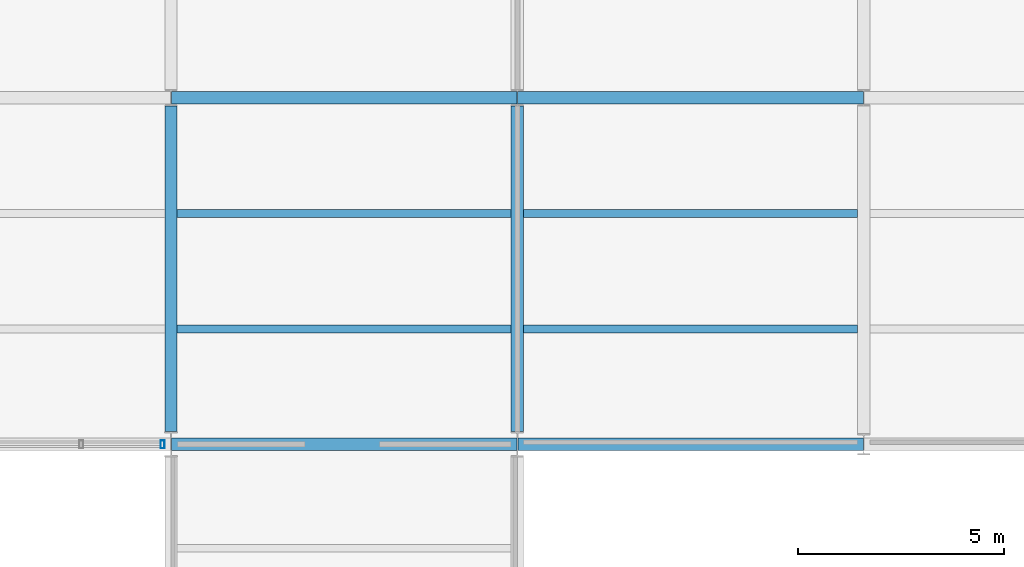
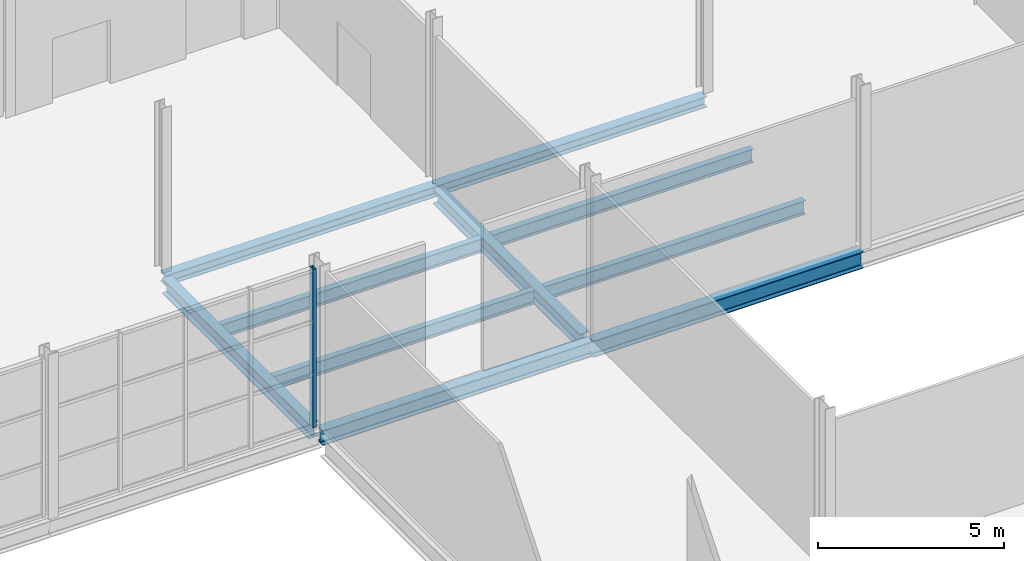
# One storey, part 16 of 57: 10 beams, 1 member, 1 element without a shape of its own.
"""IFC4 building model written with IfcOpenShell, lengths in metres."""

from ifc_helpers import new_model, si_unit, direction, frame, origin, origin_2d, place, context, subcontext, project, spatial, hollow_rectangle, i_section, extrude, material, layer, layer_set, material_profile, profile_set, type_object, element, aggregate, save


model = new_model("IFC4")

# Units and contexts
model_context = context("Model", 3, precision=1e-05, world=origin(), true_north=direction((0.0, 1.0)))
body_context = subcontext(model_context, "Body", "Model", "MODEL_VIEW")
ifc_project = project(units=[si_unit("LENGTHUNIT", "METRE"), si_unit("AREAUNIT", "SQUARE_METRE"), si_unit("VOLUMEUNIT", "CUBIC_METRE"), si_unit("PLANEANGLEUNIT", "RADIAN"), si_unit("MASSUNIT", "GRAM", prefix="KILO")], contexts=[model_context])

# Site, building, storey
site_placement = place(None, origin())
site = spatial("IfcSite", under=ifc_project, at=site_placement, CompositionType="ELEMENT")
building_placement = place(site_placement, origin())
building = spatial("IfcBuilding", under=site, at=building_placement, Name="Galleria Vessillo Department Store", CompositionType="ELEMENT")
storey_placement = place(building_placement, frame((0.0, 0.0, 25.800048828125)))
storey = spatial("IfcBuildingStorey", under=building, at=storey_placement, Name="L05", CompositionType="ELEMENT", Elevation=25.800048828125)

# Beams
ifc_material_1 = material(Name="Steel S355 J2", Category="steel")
ifc_material_profile_1 = material_profile(ifc_material_1, i_section(OverallWidth=0.300048828125, OverallDepth=0.489990234375, WebThickness=0.011962890625, FlangeThickness=0.02294921875, FilletRadius=0.027099609375, at=origin_2d()), Name="HEA 500")
ifc_profile_set_1 = profile_set([ifc_material_profile_1], Name="Steel S355 J2")
beam_type_1 = type_object("IfcBeamType", Name="Bridge girder HEA 500", PredefinedType="BEAM", material=ifc_profile_set_1)
beam_1_placement = place(storey_placement, frame((33.610595703125, 37.800048828125, -0.39501953125), z_axis=(1.0, 0.0, 0.0), x_axis=(0.0, 1.0, 0.0)))
element("IfcBeam", 1, at=beam_1_placement, inside=storey, type_object=beam_type_1, Name="S-BM-L05-BR-x37800-33611", PredefinedType="BEAM", context=body_context, shape_type="SweptSolid", body=[
    extrude(i_section(OverallWidth=0.300048828125, OverallDepth=0.489990234375, WebThickness=0.011962890625, FlangeThickness=0.02294921875, FilletRadius=0.027099609375, at=origin_2d()), origin(), (0.0, 0.0, 1.0), 8.378662109375),
])
ifc_material_2 = material(Name="Steel S355 J2", Category="steel")
ifc_material_profile_2 = material_profile(ifc_material_2, i_section(OverallWidth=0.300048828125, OverallDepth=0.489990234375, WebThickness=0.011962890625, FlangeThickness=0.02294921875, FilletRadius=0.027099609375, at=origin_2d()), Name="HEA 500")
ifc_profile_set_2 = profile_set([ifc_material_profile_2], Name="Steel S355 J2")
beam_type_2 = type_object("IfcBeamType", Name="Floor girder HEA 500", PredefinedType="BEAM", material=ifc_profile_set_2)
for number, where, z_axis, x_axis, name in (
    (2, (33.60009765625, 38.110107421875, -0.39501953125), (0.0, 1.0, 0.0), (-1.0, 0.0, 0.0), "S-BM-L05-GI-y33600-38110"),
    (3, (42.0, 38.110107421875, -0.39501953125), (0.0, 1.0, 0.0), (-1.0, 0.0, 0.0), "S-BM-L05-GI-y42000-38110"),
):
    element("IfcBeam", number, at=place(storey_placement, frame(where, z_axis=z_axis, x_axis=x_axis)), inside=storey, type_object=beam_type_2, Name=name, PredefinedType="BEAM", context=body_context, shape_type="SweptSolid", body=[
        extrude(i_section(OverallWidth=0.300048828125, OverallDepth=0.489990234375, WebThickness=0.011962890625, FlangeThickness=0.02294921875, FilletRadius=0.027099609375, at=origin_2d()), origin(), (0.0, 0.0, 1.0), 7.8896484375),
    ])
ifc_material_3 = material(Name="Steel S355 J2", Category="steel")
ifc_material_profile_3 = material_profile(ifc_material_3, i_section(OverallWidth=0.18994140625, OverallDepth=0.449951171875, WebThickness=0.009521484375, FlangeThickness=0.0146484375, FilletRadius=0.02099609375, at=origin_2d()), Name="IPE 450")
ifc_profile_set_3 = profile_set([ifc_material_profile_3], Name="Steel S355 J2")
beam_type_3 = type_object("IfcBeamType", Name="Floor joist IPE 450", PredefinedType="JOIST", material=ifc_profile_set_3)
for number, where, z_axis, x_axis, name in (
    (4, (33.750244140625, 40.60009765625, -0.375), (1.0, 0.0, 0.0), (0.0, 1.0, 0.0), "S-BM-L05-JO-x40600-33750"),
    (5, (33.750244140625, 43.39990234375, -0.375), (1.0, 0.0, 0.0), (0.0, 1.0, 0.0), "S-BM-L05-JO-x43400-33750"),
    (6, (42.150146484375, 40.60009765625, -0.375), (1.0, 0.0, 0.0), (0.0, 1.0, 0.0), "S-BM-L05-JO-x40600-42150"),
    (7, (42.150146484375, 43.39990234375, -0.375), (1.0, 0.0, 0.0), (0.0, 1.0, 0.0), "S-BM-L05-JO-x43400-42150"),
):
    element("IfcBeam", number, at=place(storey_placement, frame(where, z_axis=z_axis, x_axis=x_axis)), inside=storey, type_object=beam_type_3, Name=name, PredefinedType="JOIST", context=body_context, shape_type="SweptSolid", body=[
        extrude(i_section(OverallWidth=0.18994140625, OverallDepth=0.449951171875, WebThickness=0.009521484375, FlangeThickness=0.0146484375, FilletRadius=0.02099609375, at=origin_2d()), origin(), (0.0, 0.0, 1.0), 8.099609375),
    ])
ifc_material_4 = material(Name="Steel S355 J2", Category="steel")
ifc_material_profile_4 = material_profile(ifc_material_4, i_section(OverallWidth=0.300048828125, OverallDepth=0.35009765625, WebThickness=0.010009765625, FlangeThickness=0.017578125, FilletRadius=0.027099609375, at=origin_2d()), Name="HEA 360")
ifc_profile_set_4 = profile_set([ifc_material_profile_4], Name="Steel S355 J2")
beam_type_4 = type_object("IfcBeamType", Name="Floor tie girder HEA 360", PredefinedType="BEAM", material=ifc_profile_set_4)
for number, where, z_axis, x_axis, name in (
    (8, (33.60693359375, 46.199951171875, -0.324951171875), (1.0, 0.0, 0.0), (0.0, 1.0, 0.0), "S-BM-L05-TI-x46200-33607"),
    (9, (42.0068359375, 46.199951171875, -0.324951171875), (1.0, 0.0, 0.0), (0.0, 1.0, 0.0), "S-BM-L05-TI-x46200-42007"),
):
    element("IfcBeam", number, at=place(storey_placement, frame(where, z_axis=z_axis, x_axis=x_axis)), inside=storey, type_object=beam_type_4, Name=name, PredefinedType="BEAM", context=body_context, shape_type="SweptSolid", body=[
        extrude(i_section(OverallWidth=0.300048828125, OverallDepth=0.35009765625, WebThickness=0.010009765625, FlangeThickness=0.017578125, FilletRadius=0.027099609375, at=origin_2d()), origin(), (0.0, 0.0, 1.0), 8.38623046875),
    ])

# Curtain wall, member
ifc_material_5 = material(Name="Steel and fire-resisting glass curtain wall", Category="steel")
ifc_layer = layer(ifc_material_5, 0.199951171875)
ifc_layer_set = layer_set([ifc_layer], Name="Steel and fire-resisting glass curtain wall")
curtain_wall_type = type_object("IfcCurtainWallType", Name="Arcade fire-resisting glazed shopfront EI 120-Sa", PredefinedType="NOTDEFINED", material=ifc_layer_set)
curtain_wall_placement = place(storey_placement, origin())
curtain_wall = element("IfcCurtainWall", 10, at=curtain_wall_placement, inside=storey, type_object=curtain_wall_type, Name="Arcade fire-resisting glazed shopfront EI 120-Sa AI-AW-N-L05-02", PredefinedType="NOTDEFINED")
ifc_material_6 = material(Name="Steel S355 J2", Category="steel")
ifc_material_profile_5 = material_profile(ifc_material_6, hollow_rectangle(XDim=0.199951171875, YDim=0.10009765625, WallThickness=0.008056640625, at=origin_2d()), Name="RHS 200x100x8")
ifc_profile_set_5 = profile_set([ifc_material_profile_5], Name="Steel S355 J2")
member_type = type_object("IfcMemberType", Name="Steel mullion RHS 200x100x8", PredefinedType="MULLION", material=ifc_profile_set_5)
member_placement = place(storey_placement, frame((33.3974609375, 37.800048828125, 0.0), z_axis=(0.0, 0.0, 1.0), x_axis=(0.0, 1.0, 0.0)))
member = element("IfcMember", 11, at=member_placement, type_object=member_type, Name="CW7 mullion 5", PredefinedType="MULLION", context=body_context, shape_type="SweptSolid", body=[
    extrude(hollow_rectangle(XDim=0.199951171875, YDim=0.10009765625, WallThickness=0.008056640625, at=origin_2d()), origin(), (0.0, 0.0, 1.0), 5.199951171875),
])
aggregate(curtain_wall, [member])

# Beam
ifc_material_7 = material(Name="Steel S355 J2", Category="steel")
ifc_material_profile_6 = material_profile(ifc_material_7, i_section(OverallWidth=0.300048828125, OverallDepth=0.5400390625, WebThickness=0.012451171875, FlangeThickness=0.02392578125, FilletRadius=0.027099609375, at=origin_2d()), Name="HEA 550")
ifc_profile_set_6 = profile_set([ifc_material_profile_6], Name="Steel S355 J2")
beam_type_5 = type_object("IfcBeamType", Name="Trimmer beam HEA 550", PredefinedType="BEAM", material=ifc_profile_set_6)
beam_2_placement = place(storey_placement, frame((42.0107421875, 37.800048828125, -0.419921875), z_axis=(1.0, 0.0, 0.0), x_axis=(0.0, 1.0, 0.0)))
element("IfcBeam", 12, at=beam_2_placement, inside=storey, type_object=beam_type_5, Name="S-BM-L05-TR-x37800-42011", PredefinedType="BEAM", context=body_context, shape_type="SweptSolid", body=[
    extrude(i_section(OverallWidth=0.300048828125, OverallDepth=0.5400390625, WebThickness=0.012451171875, FlangeThickness=0.02392578125, FilletRadius=0.027099609375, at=origin_2d()), origin(), (0.0, 0.0, 1.0), 8.378662109375),
])

save(model, "model.ifc")
